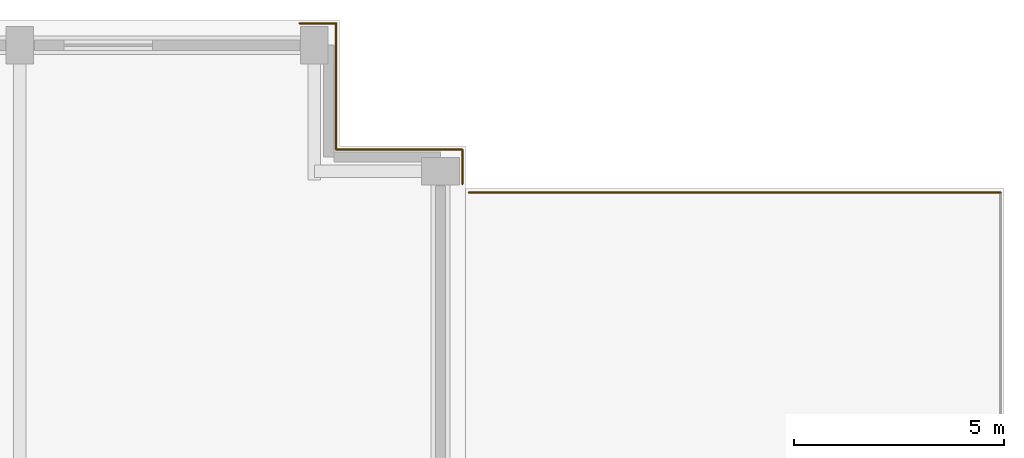
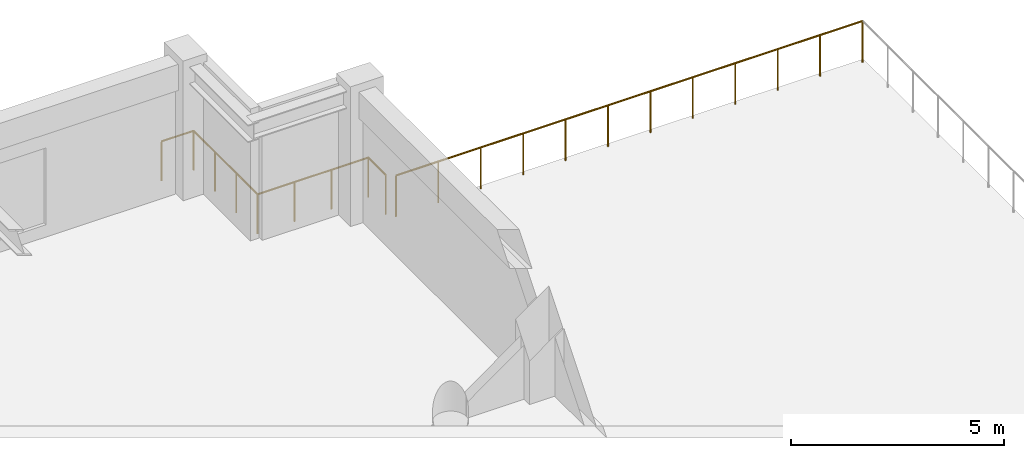
# One storey, part 9 of 9: 5 railings.
"""IFC4 building model written with IfcOpenShell, lengths in metres."""

from ifc_helpers import new_model, si_unit, direction, frame, origin, origin_2d, place, context, subcontext, project, spatial, circle, extrude, material, type_object, element, save


model = new_model("IFC4")

# Units and contexts
model_context = context("Model", 3, precision=1e-05, world=origin(), true_north=direction((0.0, 1.0)))
body_context = subcontext(model_context, "Body", "Model", "MODEL_VIEW")
ifc_project = project(units=[si_unit("LENGTHUNIT", "METRE"), si_unit("AREAUNIT", "SQUARE_METRE"), si_unit("VOLUMEUNIT", "CUBIC_METRE"), si_unit("PLANEANGLEUNIT", "RADIAN"), si_unit("MASSUNIT", "GRAM", prefix="KILO")], contexts=[model_context])

# Site, building, storey
site_placement = place(None, origin())
site = spatial("IfcSite", under=ifc_project, at=site_placement, CompositionType="ELEMENT")
building_placement = place(site_placement, origin())
building = spatial("IfcBuilding", under=site, at=building_placement, Name="Sulina Concourse Tower", CompositionType="ELEMENT")
storey_placement = place(building_placement, frame((0.0, 0.0, 289.0)))
storey = spatial("IfcBuildingStorey", under=building, at=storey_placement, Name="L70", CompositionType="ELEMENT", Elevation=289.0)

# Railings
ifc_material_1 = material(Name="Galvanised steel railing", Category="steel")
railing_type_1 = type_object("IfcRailingType", Name="Core Stair Steel Guardrail 1150mm", PredefinedType="GUARDRAIL", material=ifc_material_1)
railing_1_placement = place(storey_placement, frame((40.64990234375, 45.919921875, 0.0)))
element("IfcRailing", 1, at=railing_1_placement, inside=storey, type_object=railing_type_1, Name="L70 perimeter edge safety guardrail NE1", PredefinedType="GUARDRAIL", context=body_context, shape_type="SweptSolid", body=[
    extrude(circle(Radius=0.02392578125, at=origin_2d()), frame((0.0, 0.0, 1.1259765625), z_axis=(1.0, 0.0, 0.0), x_axis=(0.0, 1.0, 0.0)), (0.0, 0.0, 1.0), 0.8701171875),
    extrude(circle(Radius=0.02099609375, at=origin_2d()), origin(), (0.0, 0.0, 1.0), 1.101806640625),
    extrude(circle(Radius=0.02099609375, at=origin_2d()), frame((0.8701171875, 0.0, 0.0)), (0.0, 0.0, 1.0), 1.101806640625),
])
railing_2_placement = place(storey_placement, frame((41.52001953125, 45.919921875, 0.0)))
element("IfcRailing", 2, at=railing_2_placement, inside=storey, type_object=railing_type_1, Name="L70 perimeter edge safety guardrail NE2", PredefinedType="GUARDRAIL", context=body_context, shape_type="SweptSolid", body=[
    extrude(circle(Radius=0.02392578125, at=origin_2d()), frame((0.0, 0.0, 1.1259765625), z_axis=(0.0, -1.0, 0.0), x_axis=(1.0, 0.0, 0.0)), (0.0, 0.0, 1.0), 3.0),
    extrude(circle(Radius=0.02099609375, at=origin_2d()), origin(), (0.0, 0.0, 1.0), 1.101806640625),
    extrude(circle(Radius=0.02099609375, at=origin_2d()), frame((0.0, -1.0, 0.0)), (0.0, 0.0, 1.0), 1.101806640625),
    extrude(circle(Radius=0.02099609375, at=origin_2d()), frame((0.0, -2.0, 0.0)), (0.0, 0.0, 1.0), 1.101806640625),
    extrude(circle(Radius=0.02099609375, at=origin_2d()), frame((0.0, -3.0, 0.0)), (0.0, 0.0, 1.0), 1.101806640625),
])
railing_3_placement = place(storey_placement, frame((41.52001953125, 42.919921875, 0.0)))
element("IfcRailing", 3, at=railing_3_placement, inside=storey, type_object=railing_type_1, Name="L70 perimeter edge safety guardrail NE3", PredefinedType="GUARDRAIL", context=body_context, shape_type="SweptSolid", body=[
    extrude(circle(Radius=0.02392578125, at=origin_2d()), frame((0.0, 0.0, 1.1259765625), z_axis=(1.0, 0.0, 0.0), x_axis=(0.0, 1.0, 0.0)), (0.0, 0.0, 1.0), 3.0),
    extrude(circle(Radius=0.02099609375, at=origin_2d()), origin(), (0.0, 0.0, 1.0), 1.101806640625),
    extrude(circle(Radius=0.02099609375, at=origin_2d()), frame((1.0, 0.0, 0.0)), (0.0, 0.0, 1.0), 1.101806640625),
    extrude(circle(Radius=0.02099609375, at=origin_2d()), frame((2.0, 0.0, 0.0)), (0.0, 0.0, 1.0), 1.101806640625),
    extrude(circle(Radius=0.02099609375, at=origin_2d()), frame((3.0, 0.0, 0.0)), (0.0, 0.0, 1.0), 1.101806640625),
])
railing_4_placement = place(storey_placement, frame((44.52001953125, 42.919921875, 0.0)))
element("IfcRailing", 4, at=railing_4_placement, inside=storey, type_object=railing_type_1, Name="L70 perimeter edge safety guardrail NE4", PredefinedType="GUARDRAIL", context=body_context, shape_type="SweptSolid", body=[
    extrude(circle(Radius=0.02392578125, at=origin_2d()), frame((0.0, 0.0, 1.1259765625), z_axis=(0.0, -1.0, 0.0), x_axis=(1.0, 0.0, 0.0)), (0.0, 0.0, 1.0), 0.81982421875),
    extrude(circle(Radius=0.02099609375, at=origin_2d()), origin(), (0.0, 0.0, 1.0), 1.101806640625),
    extrude(circle(Radius=0.02099609375, at=origin_2d()), frame((0.0, -0.81982421875, 0.0)), (0.0, 0.0, 1.0), 1.101806640625),
])
ifc_material_2 = material(Name="Laminated glass balustrade and steel post", Category="steel")
railing_type_2 = type_object("IfcRailingType", Name="Terrace & Sky-Pool Laminated Guardrail 1200mm", PredefinedType="GUARDRAIL", material=ifc_material_2)
railing_5_placement = place(storey_placement, frame((44.679931640625, 41.89990234375, 0.0)))
element("IfcRailing", 5, at=railing_5_placement, inside=storey, type_object=railing_type_2, Name="L70 terrace guardrail TER-CR1-3", PredefinedType="GUARDRAIL", context=body_context, shape_type="SweptSolid", body=[
    extrude(circle(Radius=0.02490234375, at=origin_2d()), frame((0.0, 0.0, 1.1748046875), z_axis=(1.0, 0.0, 0.0), x_axis=(0.0, 1.0, 0.0)), (0.0, 0.0, 1.0), 12.64013671875),
    extrude(circle(Radius=0.02099609375, at=origin_2d()), origin(), (0.0, 0.0, 1.0), 1.14990234375),
    extrude(circle(Radius=0.02099609375, at=origin_2d()), frame((1.149169921875, 0.0, 0.0)), (0.0, 0.0, 1.0), 1.14990234375),
    extrude(circle(Radius=0.02099609375, at=origin_2d()), frame((2.298095703125, 0.0, 0.0)), (0.0, 0.0, 1.0), 1.14990234375),
    extrude(circle(Radius=0.02099609375, at=origin_2d()), frame((3.447265625, 0.0, 0.0)), (0.0, 0.0, 1.0), 1.14990234375),
    extrude(circle(Radius=0.02099609375, at=origin_2d()), frame((4.596435546875, 0.0, 0.0)), (0.0, 0.0, 1.0), 1.14990234375),
    extrude(circle(Radius=0.02099609375, at=origin_2d()), frame((5.74560546875, 0.0, 0.0)), (0.0, 0.0, 1.0), 1.14990234375),
    extrude(circle(Radius=0.02099609375, at=origin_2d()), frame((6.89453125, 0.0, 0.0)), (0.0, 0.0, 1.0), 1.14990234375),
    extrude(circle(Radius=0.02099609375, at=origin_2d()), frame((8.043701171875, 0.0, 0.0)), (0.0, 0.0, 1.0), 1.14990234375),
    extrude(circle(Radius=0.02099609375, at=origin_2d()), frame((9.19287109375, 0.0, 0.0)), (0.0, 0.0, 1.0), 1.14990234375),
    extrude(circle(Radius=0.02099609375, at=origin_2d()), frame((10.342041015625, 0.0, 0.0)), (0.0, 0.0, 1.0), 1.14990234375),
    extrude(circle(Radius=0.02099609375, at=origin_2d()), frame((11.490966796875, 0.0, 0.0)), (0.0, 0.0, 1.0), 1.14990234375),
    extrude(circle(Radius=0.02099609375, at=origin_2d()), frame((12.64013671875, 0.0, 0.0)), (0.0, 0.0, 1.0), 1.14990234375),
])

save(model, "model.ifc")
